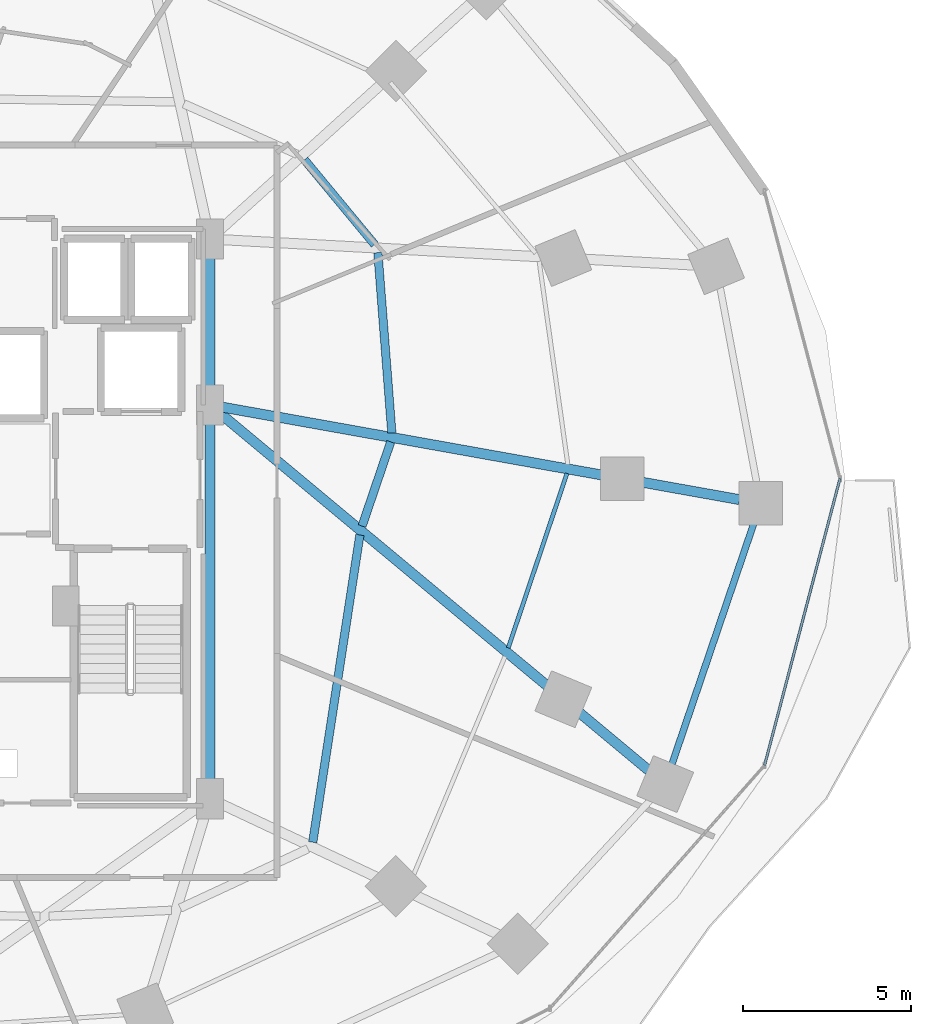
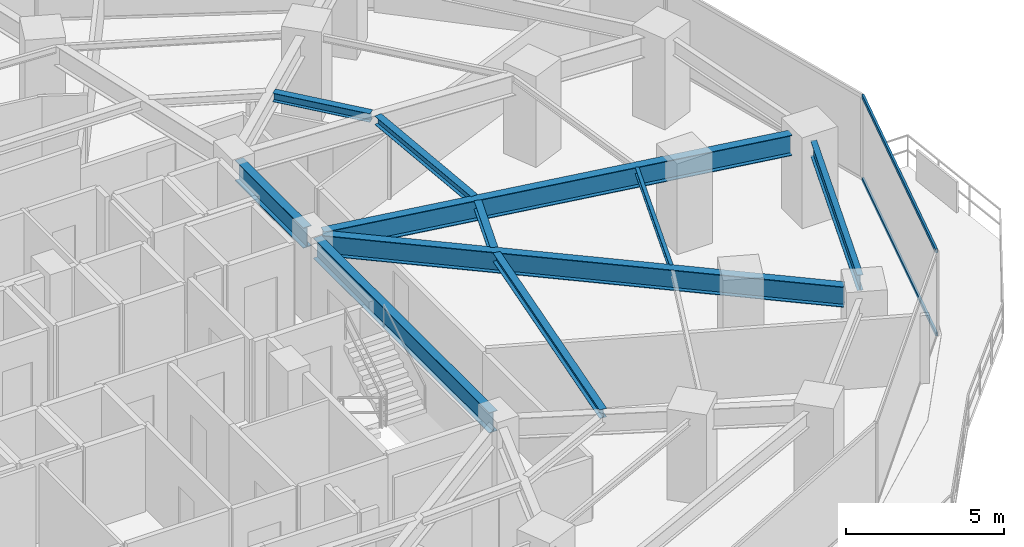
# One storey, part 15 of 35: 10 beams, 2 members, 1 element without a shape of its own.
"""IFC4 building model written with IfcOpenShell, lengths in metres."""

import ifcopenshell
import ifcopenshell.guid

model = None  # the IFC model being written
_history = None  # IfcOwnerHistory: only IFC2X3 demands one
_inside = {}  # id of a spatial element -> (the spatial element, [elements in it])
_under = {}  # id of a project, library or spatial element -> (it, [spatial elements below it])
_declared = {}  # id of a project -> (the project, [libraries it declares])
_typed = {}  # id of a type object -> (the type object, [elements of that type])
_made_of = {}  # id of a material, layer set ... -> (it, [elements and type objects made of it])


def new_model(schema):
    """Start an empty IFC model of exactly this schema.

    Asked for "IFC4X3", IfcOpenShell would pick the latest addendum, in which some entities
    have other attributes; the version numbers below select the first issue.
    IFC2X3 requires an IfcOwnerHistory on every rooted entity: one is made here for all.
    """
    global model, _history
    if schema == "IFC4X3":
        model = ifcopenshell.file(schema_version=(4, 3, 0, 0))
    else:
        model = ifcopenshell.file(schema=schema)
    _inside.clear()
    _under.clear()
    _declared.clear()
    _typed.clear()
    _made_of.clear()
    _history = None
    if model.schema == "IFC2X3":
        org = make("IfcOrganization", Name="unknown")
        user = make(
            "IfcPersonAndOrganization",
            ThePerson=make("IfcPerson", FamilyName="unknown"),
            TheOrganization=org,
        )
        app = make(
            "IfcApplication",
            ApplicationDeveloper=org,
            Version="unknown",
            ApplicationFullName="unknown",
            ApplicationIdentifier="unknown",
        )
        _history = make(
            "IfcOwnerHistory",
            OwningUser=user,
            OwningApplication=app,
            ChangeAction="ADDED",
            CreationDate=0,
        )
    return model


def make(cls, **values):
    """One entity of the class cls with the attributes given. An attribute that is None is left unset."""
    return model.create_entity(
        cls, **{name: value for name, value in values.items() if value is not None}
    )


def rooted(cls, **values):
    """An entity with a GlobalId (a new one), such as an element, a storey or a relation."""
    return make(cls, GlobalId=ifcopenshell.guid.new(), OwnerHistory=_history, **values)


def si_unit(unit_type, name, prefix=None):
    """IfcSIUnit, for example si_unit("LENGTHUNIT", "METRE", prefix="MILLI")."""
    return make("IfcSIUnit", UnitType=unit_type, Prefix=prefix, Name=name)


def assignment(units):
    """IfcUnitAssignment: the units of a project."""
    return None if units is None else make("IfcUnitAssignment", Units=units)


def point(xyz):
    """IfcCartesianPoint."""
    return None if xyz is None else make("IfcCartesianPoint", Coordinates=xyz)


def direction(xyz):
    """IfcDirection."""
    return None if xyz is None else make("IfcDirection", DirectionRatios=xyz)


def frame(location, z_axis=None, x_axis=None):
    """IfcAxis2Placement3D, a coordinate frame: its origin and axes. An axis left out is left unset."""
    return make(
        "IfcAxis2Placement3D",
        Location=point(location),
        Axis=direction(z_axis),
        RefDirection=direction(x_axis),
    )


def frame_2d(location, x_axis=None):
    """IfcAxis2Placement2D, a coordinate frame in the plane: its origin and x axis."""
    return make(
        "IfcAxis2Placement2D", Location=point(location), RefDirection=direction(x_axis)
    )


def origin():
    """The frame at (0, 0, 0) with its axes left unset."""
    return frame((0.0, 0.0, 0.0))


def origin_2d():
    """The frame at (0, 0) in the plane with its x axis left unset."""
    return frame_2d((0.0, 0.0))


def place(relative_to, where):
    """IfcLocalPlacement: puts the frame where relative to a parent placement (None: the world)."""
    return make(
        "IfcLocalPlacement", PlacementRelTo=relative_to, RelativePlacement=where
    )


def context(
    kind, dimensions, precision=None, world=None, true_north=None, identifier=None
):
    """IfcGeometricRepresentationContext, for example the 3D "Model" context."""
    return make(
        "IfcGeometricRepresentationContext",
        ContextIdentifier=identifier,
        ContextType=kind,
        CoordinateSpaceDimension=dimensions,
        Precision=precision,
        WorldCoordinateSystem=world,
        TrueNorth=true_north,
    )


def subcontext(parent, identifier, kind, view, scale=None):
    """IfcGeometricRepresentationSubContext, for example "Body" below "Model"."""
    return make(
        "IfcGeometricRepresentationSubContext",
        ContextIdentifier=identifier,
        ContextType=kind,
        ParentContext=parent,
        TargetScale=scale,
        TargetView=view,
    )


def project(units=None, contexts=None):
    """IfcProject with its units and contexts."""
    return rooted(
        "IfcProject",
        Name="project",
        RepresentationContexts=contexts,
        UnitsInContext=assignment(units),
    )


def spatial(cls, under=None, at=None, **own):
    """A site, building, storey or space (cls), placed at a placement, below another one or the project."""
    s = rooted(cls, ObjectPlacement=at, **own)
    if under is not None:
        _under.setdefault(under.id(), (under, []))[1].append(s)
    return s


def profile(cls, at=None, kind="AREA", **sizes):
    """A parametric profile (cls). Its sizes go by their IFC names, for example OverallWidth=200.0."""
    return make(cls, ProfileType=kind, Position=at, **sizes)


def hollow_rectangle(**sizes):
    """IfcRectangleHollowProfileDef."""
    return profile("IfcRectangleHollowProfileDef", **sizes)


def i_section(**sizes):
    """IfcIShapeProfileDef."""
    return profile("IfcIShapeProfileDef", **sizes)


def extrude(swept, where, along, depth):
    """IfcExtrudedAreaSolid: the profile swept, set in the frame where, extruded along a direction by depth."""
    return make(
        "IfcExtrudedAreaSolid",
        SweptArea=swept,
        Position=where,
        ExtrudedDirection=direction(along),
        Depth=depth,
    )


def shape(context_of_items, identifier, shape_type, items):
    """IfcShapeRepresentation: the items that make up one representation, for example the "Body"."""
    return make(
        "IfcShapeRepresentation",
        ContextOfItems=context_of_items,
        RepresentationIdentifier=identifier,
        RepresentationType=shape_type,
        Items=items,
    )


def material(Name=None, Category=None):
    """IfcMaterial."""
    return make("IfcMaterial", Name=Name, Category=Category)


def material_profile(
    of_material, cross_section, Name=None, Category=None, Priority=None
):
    """IfcMaterialProfile: a cross section and its material."""
    return make(
        "IfcMaterialProfile",
        Name=Name,
        Material=of_material,
        Profile=cross_section,
        Priority=Priority,
        Category=Category,
    )


def profile_set(profiles, Name=None, composite=None):
    """IfcMaterialProfileSet."""
    return make(
        "IfcMaterialProfileSet",
        Name=Name,
        MaterialProfiles=profiles,
        CompositeProfile=composite,
    )


def made_of(thing, what):
    """Note that an element or type object is made of a material, layer set ...; save() writes the relation."""
    if what is not None:
        _made_of.setdefault(what.id(), (what, []))[1].append(thing)
    return thing


def type_object(cls, material=None, **own):
    """A type object (cls), such as IfcWallType, which elements share."""
    return made_of(rooted(cls, **own), material)


def element(
    cls,
    number,
    at=None,
    inside=None,
    cuts=None,
    type_object=None,
    material=None,
    context=None,
    identifier="Body",
    shape_type=None,
    held_by="IfcProductDefinitionShape",
    body=None,
    shapes=None,
    **own,
):
    """One element of the class cls, such as IfcWall. Its Tag is "e" and its number.

    at: its placement. inside: the storey or other place that contains it. cuts: it is an
    opening in that element (IfcRelVoidsElement). A single representation is given by context,
    identifier, shape_type and body (its items); several are given by shapes. held_by: the class
    of the entity that holds the representations. save() writes the other relations.
    """
    e = rooted(cls, Tag="e%d" % number, ObjectPlacement=at, **own)
    if body is not None:
        shapes = [shape(context, identifier, shape_type, body)]
    if shapes is not None:
        e.Representation = make(held_by, Representations=shapes)
    if inside is not None:
        _inside.setdefault(inside.id(), (inside, []))[1].append(e)
    if cuts is not None:
        rooted(
            "IfcRelVoidsElement", RelatingBuildingElement=cuts, RelatedOpeningElement=e
        )
    if type_object is not None:
        _typed.setdefault(type_object.id(), (type_object, []))[1].append(e)
    return made_of(e, material)


def aggregate(whole, parts):
    """IfcRelAggregates: a whole, such as a stair, and the parts it consists of."""
    return rooted("IfcRelAggregates", RelatingObject=whole, RelatedObjects=parts)


def save(model, path):
    """Write the relations noted so far, then the file.

    IfcRelAggregates (storeys below a building ...), IfcRelContainedInSpatialStructure (elements
    in a storey), IfcRelDefinesByType, IfcRelAssociatesMaterial and IfcRelDeclares: one each for
    every whole, place, type object, material and project.
    """
    for whole, parts in _under.values():
        aggregate(whole, parts)
    for where, things in _inside.values():
        rooted(
            "IfcRelContainedInSpatialStructure",
            RelatedElements=things,
            RelatingStructure=where,
        )
    for kind, things in _typed.values():
        rooted("IfcRelDefinesByType", RelatedObjects=things, RelatingType=kind)
    for what, things in _made_of.values():
        rooted("IfcRelAssociatesMaterial", RelatedObjects=things, RelatingMaterial=what)
    for by, libraries in _declared.values():
        rooted("IfcRelDeclares", RelatingContext=by, RelatedDefinitions=libraries)
    model.write(path)


model = new_model("IFC4")

# Units and contexts
model_context = context("Model", 3, precision=1e-05, world=origin(), true_north=direction((0.0, 1.0)))
body_context = subcontext(model_context, "Body", "Model", "MODEL_VIEW")
ifc_project = project(units=[si_unit("LENGTHUNIT", "METRE"), si_unit("AREAUNIT", "SQUARE_METRE"), si_unit("VOLUMEUNIT", "CUBIC_METRE"), si_unit("PLANEANGLEUNIT", "RADIAN"), si_unit("MASSUNIT", "GRAM", prefix="KILO")], contexts=[model_context])

# Site, building, storey
site_placement = place(None, origin())
site = spatial("IfcSite", under=ifc_project, at=site_placement, CompositionType="ELEMENT")
building_placement = place(site_placement, origin())
building = spatial("IfcBuilding", under=site, at=building_placement, Name="Vorneva Point Tower", CompositionType="ELEMENT")
storey_placement = place(building_placement, frame((0.0, 0.0, 45.0)))
storey = spatial("IfcBuildingStorey", under=building, at=storey_placement, Name="L11", CompositionType="ELEMENT", Elevation=45.0)

# Beams
ifc_material_1 = material(Name="Steel S355", Category="steel")
ifc_material_profile_1 = material_profile(ifc_material_1, i_section(OverallWidth=0.300048828125, OverallDepth=0.7880859375, WebThickness=0.014404296875, FlangeThickness=0.02197265625, at=origin_2d()), Name="80Sh1")
ifc_profile_set_1 = profile_set([ifc_material_profile_1], Name="Steel S355")
beam_type_1 = type_object("IfcBeamType", Name="BM-GRD-80Sh1", PredefinedType="USERDEFINED", material=ifc_profile_set_1)
beam_1_placement = place(storey_placement, frame((64.55419921875, 25.373291015625, 2.845947265625), z_axis=(-0.984378664832, 0.176064318428, 0.0), x_axis=(-0.176064318428, -0.984378664832, 0.0)))
element("IfcBeam", 1, at=beam_1_placement, inside=storey, type_object=beam_type_1, Name="L11 Radial Primary Girder 01", ObjectType="GIRDER", PredefinedType="USERDEFINED", context=body_context, shape_type="SweptSolid", body=[
    extrude(i_section(OverallWidth=0.300048828125, OverallDepth=0.7880859375, WebThickness=0.014404296875, FlangeThickness=0.02197265625, at=origin_2d()), origin(), (0.0, 0.0, 1.0), 15.715087890625),
])
beam_2_placement = place(storey_placement, frame((61.844482421875, 17.294921875, 2.845947265625), z_axis=(-0.76842374394, 0.639941364306, 0.0), x_axis=(-0.639941364306, -0.76842374394, 0.0)))
element("IfcBeam", 2, at=beam_2_placement, inside=storey, type_object=beam_type_1, Name="L11 Radial Primary Girder 16", ObjectType="GIRDER", PredefinedType="USERDEFINED", context=body_context, shape_type="SweptSolid", body=[
    extrude(i_section(OverallWidth=0.300048828125, OverallDepth=0.7880859375, WebThickness=0.014404296875, FlangeThickness=0.02197265625, at=origin_2d()), origin(), (0.0, 0.0, 1.0), 16.70068359375),
])
beam_3_placement = place(storey_placement, frame((48.75, 16.77001953125, 2.845947265625), z_axis=(0.0, 1.0, 0.0), x_axis=(-1.0, 0.0, 0.0)))
element("IfcBeam", 3, at=beam_3_placement, inside=storey, type_object=beam_type_1, Name="L11 Core Tie Girder CT3", ObjectType="GIRDER", PredefinedType="USERDEFINED", context=body_context, shape_type="SweptSolid", body=[
    extrude(i_section(OverallWidth=0.300048828125, OverallDepth=0.7880859375, WebThickness=0.014404296875, FlangeThickness=0.02197265625, at=origin_2d()), origin(), (0.0, 0.0, 1.0), 11.10986328125),
])
beam_4_placement = place(storey_placement, frame((48.75, 28.52001953125, 2.845947265625), z_axis=(0.0, 1.0, 0.0), x_axis=(-1.0, 0.0, 0.0)))
element("IfcBeam", 4, at=beam_4_placement, inside=storey, type_object=beam_type_1, Name="L11 Core Tie Girder CT4", ObjectType="GIRDER", PredefinedType="USERDEFINED", context=body_context, shape_type="SweptSolid", body=[
    extrude(i_section(OverallWidth=0.300048828125, OverallDepth=0.7880859375, WebThickness=0.014404296875, FlangeThickness=0.02197265625, at=origin_2d()), origin(), (0.0, 0.0, 1.0), 4.31005859375),
])
ifc_material_profile_2 = material_profile(ifc_material_1, i_section(OverallWidth=0.1240234375, OverallDepth=0.248046875, WebThickness=0.0048828125, FlangeThickness=0.008056640625, at=origin_2d()), Name="25B1")
ifc_profile_set_2 = profile_set([ifc_material_profile_2], Name="Steel S355")
beam_type_2 = type_object("IfcBeamType", Name="BM-JST-25B1", PredefinedType="JOIST", material=ifc_profile_set_2)
beam_5_placement = place(storey_placement, frame((57.653564453125, 20.952392578125, 3.115966796875), z_axis=(0.319067942074, 0.94773184411, 0.0), x_axis=(-0.94773184411, 0.319067942074, 0.0)))
element("IfcBeam", 5, at=beam_5_placement, inside=storey, type_object=beam_type_2, Name="L11 Secondary Floor Beam 1.16", PredefinedType="JOIST", context=body_context, shape_type="SweptSolid", body=[
    extrude(i_section(OverallWidth=0.1240234375, OverallDepth=0.248046875, WebThickness=0.0048828125, FlangeThickness=0.008056640625, at=origin_2d()), origin(), (0.0, 0.0, 1.0), 5.489990234375),
])
ifc_material_profile_3 = material_profile(ifc_material_1, i_section(OverallWidth=0.2490234375, OverallDepth=0.333984375, WebThickness=0.008056640625, FlangeThickness=0.010986328125, at=origin_2d()), Name="35Sh1")
ifc_profile_set_3 = profile_set([ifc_material_profile_3], Name="Steel S355")
beam_type_3 = type_object("IfcBeamType", Name="BM-SEC-35Sh1", PredefinedType="BEAM", material=ifc_profile_set_3)
beam_6_placement = place(storey_placement, frame((54.178955078125, 27.364501953125, 3.072998046875), z_axis=(-0.077205209526, 0.997015223365, 0.0), x_axis=(-0.997015223365, -0.077205209526, 0.0)))
element("IfcBeam", 6, at=beam_6_placement, inside=storey, type_object=beam_type_3, Name="L11 Secondary Floor Beam 2.01", PredefinedType="BEAM", context=body_context, shape_type="SweptSolid", body=[
    extrude(i_section(OverallWidth=0.2490234375, OverallDepth=0.333984375, WebThickness=0.008056640625, FlangeThickness=0.010986328125, at=origin_2d()), origin(), (0.0, 0.0, 1.0), 5.394775390625),
])
beam_7_placement = place(storey_placement, frame((53.663818359375, 32.987060546875, 3.072998046875), z_axis=(-0.637625601684, 0.77034641044, 0.0), x_axis=(-0.77034641044, -0.637625601684, 0.0)))
element("IfcBeam", 7, at=beam_7_placement, inside=storey, type_object=beam_type_3, Name="L11 Secondary Floor Beam 2.02", PredefinedType="BEAM", context=body_context, shape_type="SweptSolid", body=[
    extrude(i_section(OverallWidth=0.2490234375, OverallDepth=0.333984375, WebThickness=0.008056640625, FlangeThickness=0.010986328125, at=origin_2d()), origin(), (0.0, 0.0, 1.0), 3.27978515625),
])
beam_8_placement = place(storey_placement, frame((51.81884765625, 15.151611328125, 3.072998046875), z_axis=(0.151647716756, 0.98843460583, 0.0), x_axis=(-0.98843460583, 0.151647716756, 0.0)))
element("IfcBeam", 8, at=beam_8_placement, inside=storey, type_object=beam_type_3, Name="L11 Secondary Floor Beam 2.15", PredefinedType="BEAM", context=body_context, shape_type="SweptSolid", body=[
    extrude(i_section(OverallWidth=0.2490234375, OverallDepth=0.333984375, WebThickness=0.008056640625, FlangeThickness=0.010986328125, at=origin_2d()), origin(), (0.0, 0.0, 1.0), 9.274658203125),
])
beam_9_placement = place(storey_placement, frame((53.290771484375, 24.586181640625, 3.072998046875), z_axis=(0.322160219451, 0.946685160443, 0.0), x_axis=(-0.946685160443, 0.322160219451, 0.0)))
element("IfcBeam", 9, at=beam_9_placement, inside=storey, type_object=beam_type_3, Name="L11 Secondary Floor Beam 2.16", PredefinedType="BEAM", context=body_context, shape_type="SweptSolid", body=[
    extrude(i_section(OverallWidth=0.2490234375, OverallDepth=0.333984375, WebThickness=0.008056640625, FlangeThickness=0.010986328125, at=origin_2d()), origin(), (0.0, 0.0, 1.0), 2.651611328125),
])
ifc_material_profile_4 = material_profile(ifc_material_1, i_section(OverallWidth=0.198974609375, OverallDepth=0.595947265625, WebThickness=0.010009765625, FlangeThickness=0.014892578125, at=origin_2d()), Name="60B1")
ifc_profile_set_4 = profile_set([ifc_material_profile_4], Name="Steel S355")
beam_type_4 = type_object("IfcBeamType", Name="BM-SPN-60B1", PredefinedType="SPANDREL", material=ifc_profile_set_4)
beam_10_placement = place(storey_placement, frame((62.539306640625, 17.48779296875, 2.94189453125), z_axis=(0.321907355596, 0.946771173206, 0.0), x_axis=(-0.946771173206, 0.321907355596, 0.0)))
element("IfcBeam", 10, at=beam_10_placement, inside=storey, type_object=beam_type_4, Name="L11 Perimeter Spandrel Ring Beam 16", PredefinedType="SPANDREL", context=body_context, shape_type="SweptSolid", body=[
    extrude(i_section(OverallWidth=0.198974609375, OverallDepth=0.595947265625, WebThickness=0.010009765625, FlangeThickness=0.014892578125, at=origin_2d()), origin(), (0.0, 0.0, 1.0), 7.5751953125),
])

# Curtain wall, members
ifc_material_2 = material(Name="Pale anodised aluminium", Category="aluminium")
curtain_wall_type = type_object("IfcCurtainWallType", Name="CW-HTL-SYS", PredefinedType="NOTDEFINED", material=ifc_material_2)
curtain_wall_placement = place(storey_placement, origin())
curtain_wall = element("IfcCurtainWall", 11, at=curtain_wall_placement, inside=storey, type_object=curtain_wall_type, Name="L11 Unitised Curtain Wall CW-L11-R01", PredefinedType="NOTDEFINED")
ifc_material_profile_5 = material_profile(ifc_material_2, hollow_rectangle(XDim=0.074951171875, YDim=0.14990234375, WallThickness=0.00390625, at=origin_2d()), Name="AL-TRN 150x75x4")
ifc_profile_set_5 = profile_set([ifc_material_profile_5], Name="Pale anodised aluminium")
member_type = type_object("IfcMemberType", Name="CW-TRN-150", PredefinedType="USERDEFINED", material=ifc_profile_set_5)
member_1_placement = place(storey_placement, frame((65.300537109375, 17.447021484375, 0.02001953125), z_axis=(0.254358772746, 0.967109928978, 0.0), x_axis=(-0.967109928978, 0.254358772746, 0.0)))
member_1 = element("IfcMember", 12, at=member_1_placement, type_object=member_type, Name="CW-L11-R01 Transom 03.1", ObjectType="TRANSOM", PredefinedType="USERDEFINED", context=body_context, shape_type="SweptSolid", body=[
    extrude(hollow_rectangle(XDim=0.074951171875, YDim=0.14990234375, WallThickness=0.00390625, at=origin_2d()), origin(), (0.0, 0.0, 1.0), 8.84375),
])
member_2_placement = place(storey_placement, frame((65.300537109375, 17.447021484375, 3.219970703125), z_axis=(0.254358772746, 0.967109928978, 0.0), x_axis=(-0.967109928978, 0.254358772746, 0.0)))
member_2 = element("IfcMember", 13, at=member_2_placement, type_object=member_type, Name="CW-L11-R01 Transom 03.2", ObjectType="TRANSOM", PredefinedType="USERDEFINED", context=body_context, shape_type="SweptSolid", body=[
    extrude(hollow_rectangle(XDim=0.074951171875, YDim=0.14990234375, WallThickness=0.00390625, at=origin_2d()), origin(), (0.0, 0.0, 1.0), 8.84375),
])
aggregate(curtain_wall, [member_1, member_2])

save(model, "model.ifc")
